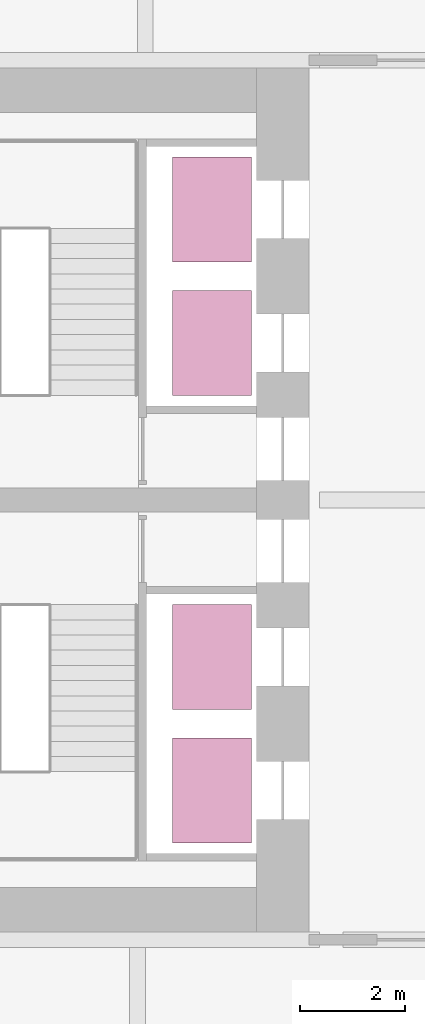
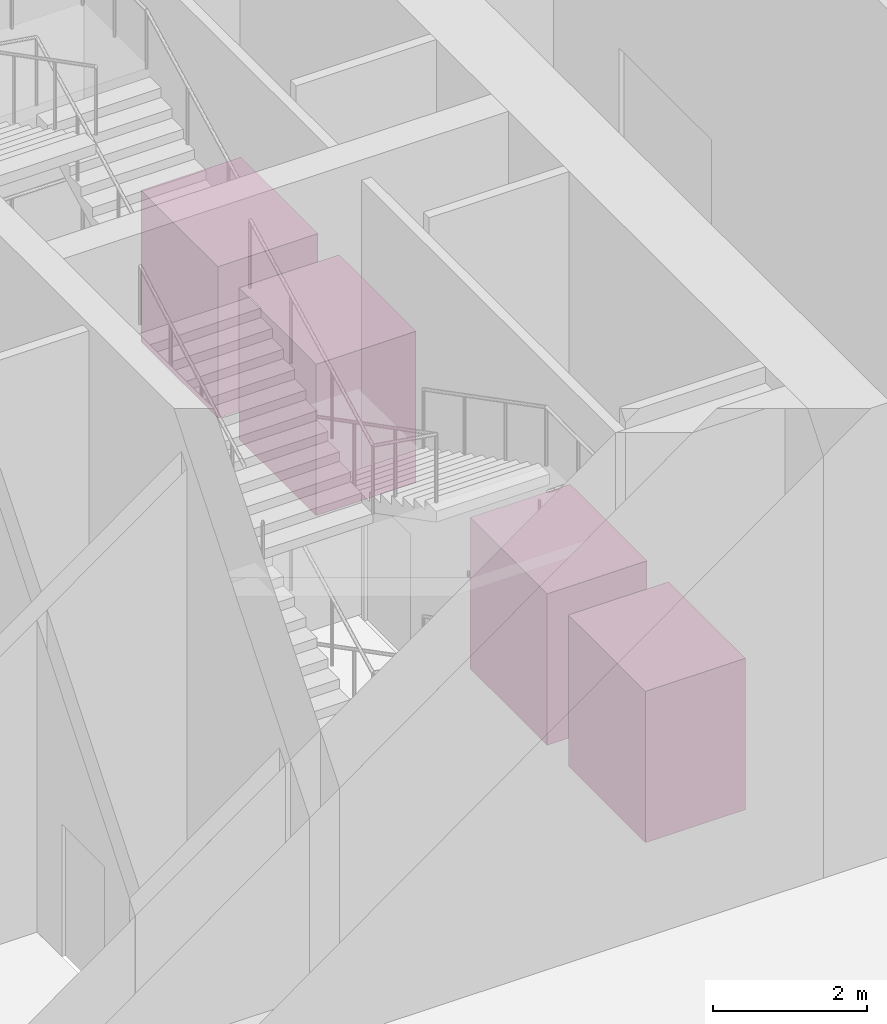
# One storey, part 34 of 34: 4 transport elements.
"""IFC4 building model written with IfcOpenShell, lengths in metres."""

from ifc_helpers import new_model, si_unit, direction, frame, origin, origin_2d, place, context, subcontext, project, spatial, rectangle, extrude, material, type_object, element, save


model = new_model("IFC4")

# Units and contexts
model_context = context("Model", 3, precision=1e-05, world=origin(), true_north=direction((0.0, 1.0)))
body_context = subcontext(model_context, "Body", "Model", "MODEL_VIEW")
ifc_project = project(units=[si_unit("LENGTHUNIT", "METRE"), si_unit("AREAUNIT", "SQUARE_METRE"), si_unit("VOLUMEUNIT", "CUBIC_METRE"), si_unit("PLANEANGLEUNIT", "RADIAN"), si_unit("MASSUNIT", "GRAM", prefix="KILO")], contexts=[model_context])

# Site, building, storey
site_placement = place(None, origin())
site = spatial("IfcSite", under=ifc_project, at=site_placement, CompositionType="ELEMENT")
building_placement = place(site_placement, origin())
building = spatial("IfcBuilding", under=site, at=building_placement, Name="Marenta Gate Hotel Tower", CompositionType="ELEMENT")
storey_placement = place(building_placement, frame((0.0, 0.0, 97.699951171875)))
storey = spatial("IfcBuildingStorey", under=building, at=storey_placement, Name="L21", CompositionType="ELEMENT", Elevation=97.699951171875)

# Transport elements
ifc_material = material(Name="Stainless steel", Category="steel")
transport_element_type = type_object("IfcTransportElementType", Name="Core high-rise passenger lift car 2000x1500 1350 kg", PredefinedType="ELEVATOR", material=ifc_material)
for number, where, z_axis, x_axis, name in (
    (1, (10.25, 2.85009765625, 0.0), (0.0, 0.0, 1.0), (1.0, 0.0, 0.0), "High-rise passenger lift HR1"),
    (2, (10.25, 5.39990234375, 0.0), (0.0, 0.0, 1.0), (1.0, 0.0, 0.0), "High-rise passenger lift HR2"),
    (3, (10.25, 11.39990234375, 0.0), (0.0, 0.0, 1.0), (1.0, 0.0, 0.0), "High-rise passenger lift HR3"),
    (4, (10.25, 13.949951171875, 0.0), (0.0, 0.0, 1.0), (1.0, 0.0, 0.0), "High-rise passenger lift HR4"),
):
    element("IfcTransportElement", number, at=place(storey_placement, frame(where, z_axis=z_axis, x_axis=x_axis)), inside=storey, type_object=transport_element_type, Name=name, PredefinedType="ELEVATOR", context=body_context, shape_type="SweptSolid", body=[
        extrude(rectangle(XDim=1.5, YDim=2.0, at=origin_2d()), origin(), (0.0, 0.0, 1.0), 2.39990234375),
    ])

save(model, "model.ifc")
